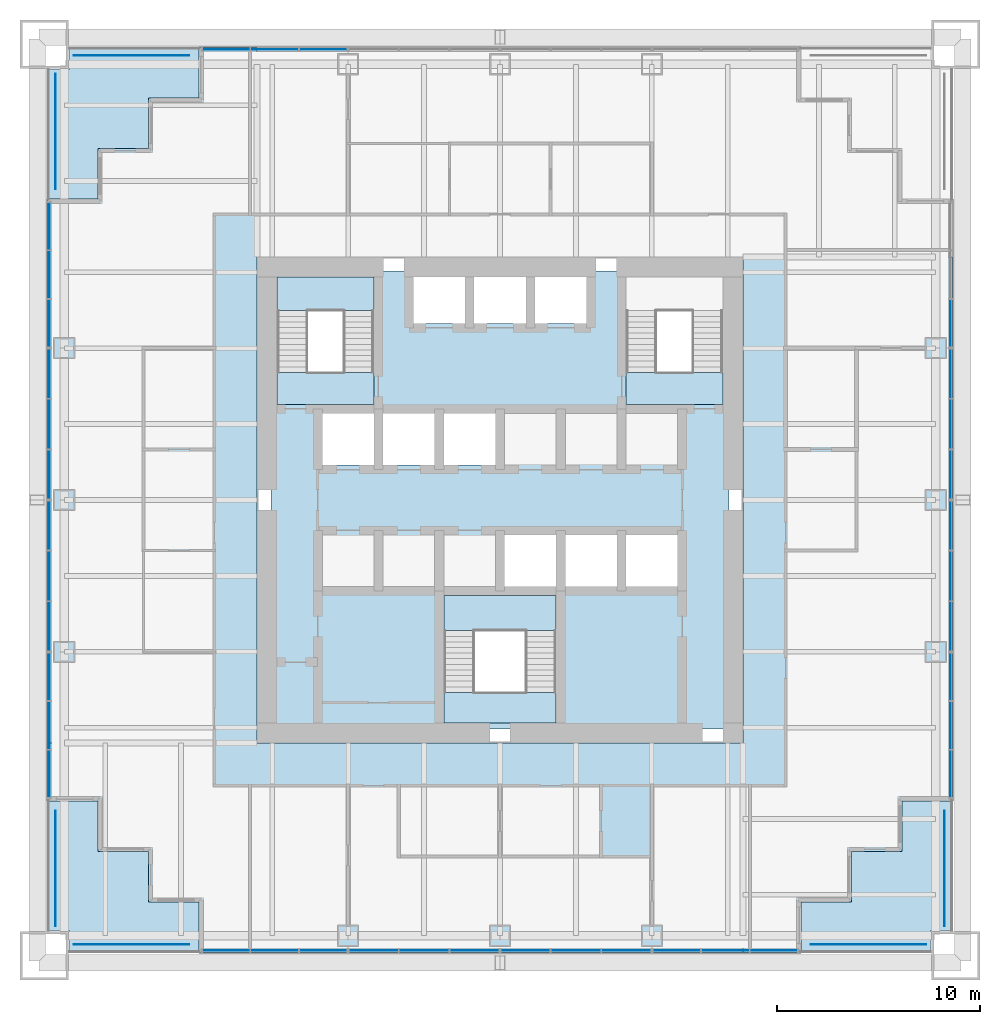
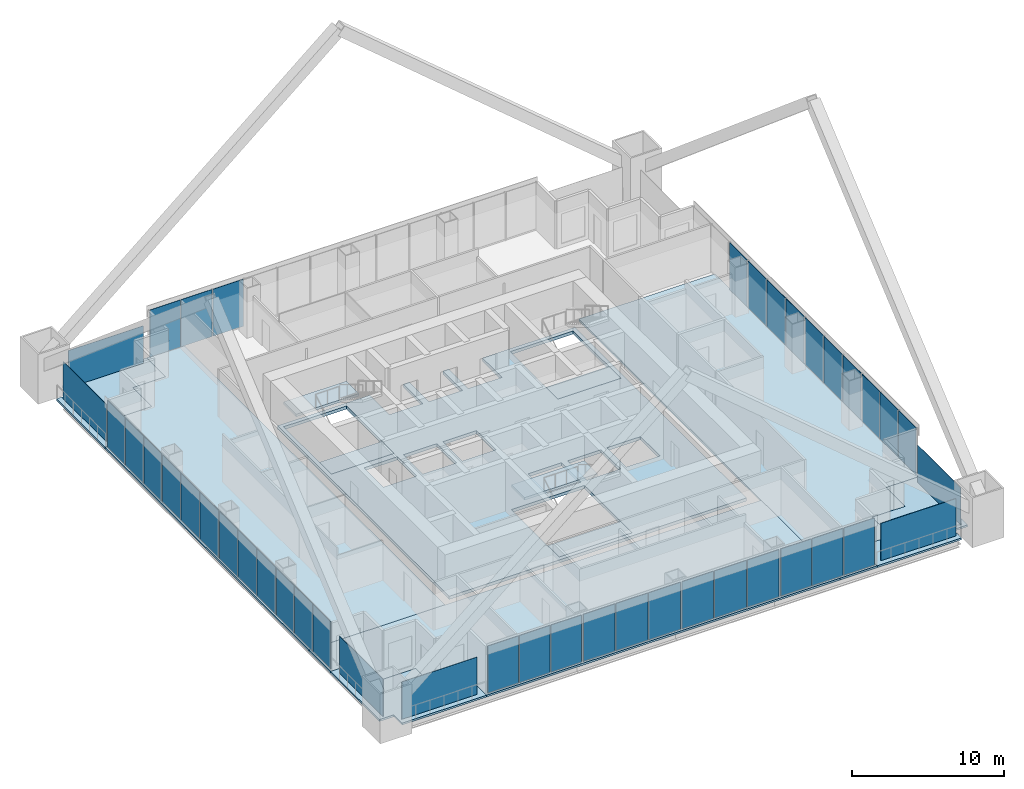
# One storey, part 13 of 19: 43 plates, 12 slabs, 16 elements without a shape of their own.
"""IFC4 building model written with IfcOpenShell, lengths in metres."""

from ifc_helpers import new_model, si_unit, direction, frame, origin, origin_2d, place, context, subcontext, project, spatial, polyline, rectangle, outline, extrude, material, layer, layer_set, type_object, element, aggregate, save


model = new_model("IFC4")

# Units and contexts
model_context = context("Model", 3, precision=1e-05, world=origin(), true_north=direction((0.0, 1.0)))
body_context = subcontext(model_context, "Body", "Model", "MODEL_VIEW")
ifc_project = project(units=[si_unit("LENGTHUNIT", "METRE"), si_unit("AREAUNIT", "SQUARE_METRE"), si_unit("VOLUMEUNIT", "CUBIC_METRE"), si_unit("PLANEANGLEUNIT", "RADIAN"), si_unit("MASSUNIT", "GRAM", prefix="KILO")], contexts=[model_context])

# Site, building, storey
site_placement = place(None, origin())
site = spatial("IfcSite", under=ifc_project, at=site_placement, CompositionType="ELEMENT")
building_placement = place(site_placement, origin())
building = spatial("IfcBuilding", under=site, at=building_placement, Name="Tarangal Relay Tower", CompositionType="ELEMENT")
storey_placement = place(building_placement, frame((0.0, 0.0, 213.89990234375)))
storey = spatial("IfcBuildingStorey", under=building, at=storey_placement, Name="L45", CompositionType="ELEMENT", Elevation=213.89990234375)

# Slabs
ifc_material_1 = material(Name="Concrete fc' 35 MPa", Category="concrete")
ifc_layer_1 = layer(ifc_material_1, 0.25)
ifc_layer_set_1 = layer_set([ifc_layer_1], Name="Core floor slab 250")
slab_type_1 = type_object("IfcSlabType", Name="Core floor slab 250", PredefinedType="FLOOR", material=ifc_layer_set_1)
slab_1_placement = place(storey_placement, frame((0.0, 0.0, -0.25)))
element("IfcSlab", 1, at=slab_1_placement, inside=storey, type_object=slab_type_1, Name="Core floor slab L45", PredefinedType="FLOOR", context=body_context, shape_type="SweptSolid", body=[
    extrude(outline(polyline([(11.300048828125, 11.300048828125), (11.300048828125, -11.300048828125), (-11.300048828125, -11.300048828125), (-11.300048828125, 11.300048828125), (-4.27490234375, 11.300048828125), (-4.27490234375, 8.72509765625), (-1.72509765625, 8.72509765625), (-1.72509765625, 11.300048828125), (-1.27490234375, 11.300048828125), (-1.27490234375, 8.72509765625), (1.27490234375, 8.72509765625), (1.27490234375, 11.300048828125), (1.72509765625, 11.300048828125), (1.72509765625, 8.72509765625), (4.27490234375, 8.72509765625), (4.27490234375, 11.300048828125), (11.300048828125, 11.300048828125)]), holes=[polyline([(-6.22509765625, 4.27490234375), (-8.77490234375, 4.27490234375), (-8.77490234375, 1.72509765625), (-6.22509765625, 1.72509765625), (-6.22509765625, 4.27490234375)]), polyline([(-3.22509765625, 1.72509765625), (-3.22509765625, 4.27490234375), (-5.77490234375, 4.27490234375), (-5.77490234375, 1.72509765625), (-3.22509765625, 1.72509765625)]), polyline([(-0.22509765625, 1.72509765625), (-0.22509765625, 4.27490234375), (-2.77490234375, 4.27490234375), (-2.77490234375, 1.72509765625), (-0.22509765625, 1.72509765625)]), polyline([(-6.22509765625, 11.0), (-11.0, 11.0), (-11.0, 4.72509765625), (-6.22509765625, 4.72509765625), (-6.22509765625, 11.0)]), polyline([(2.77490234375, -4.72509765625), (-2.77490234375, -4.72509765625), (-2.77490234375, -11.0), (2.77490234375, -11.0), (2.77490234375, -4.72509765625)]), polyline([(2.77490234375, -4.27490234375), (2.77490234375, -1.72509765625), (0.22509765625, -1.72509765625), (0.22509765625, -4.27490234375), (2.77490234375, -4.27490234375)]), polyline([(5.77490234375, -4.27490234375), (5.77490234375, -1.72509765625), (3.22509765625, -1.72509765625), (3.22509765625, -4.27490234375), (5.77490234375, -4.27490234375)]), polyline([(8.77490234375, -1.72509765625), (6.22509765625, -1.72509765625), (6.22509765625, -4.27490234375), (8.77490234375, -4.27490234375), (8.77490234375, -1.72509765625)]), polyline([(11.0, 4.72509765625), (11.0, 11.0), (6.22509765625, 11.0), (6.22509765625, 4.72509765625), (11.0, 4.72509765625)])]), origin(), (0.0, 0.0, 1.0), 0.25),
])
ifc_layer_2 = layer(ifc_material_1, 0.14990234375)
ifc_layer_set_2 = layer_set([ifc_layer_2], Name="Floor slab 150")
slab_type_2 = type_object("IfcSlabType", Name="Floor slab 150", PredefinedType="FLOOR", material=ifc_layer_set_2)
slab_2_placement = place(storey_placement, frame((0.0, 0.0, -0.14990234375)))
element("IfcSlab", 2, at=slab_2_placement, inside=storey, type_object=slab_type_2, Name="Floor slab FS3 L45 east bay", PredefinedType="FLOOR", context=body_context, shape_type="SweptSolid", body=[
    extrude(outline(polyline([(22.35009765625, -14.85009765625), (19.85009765625, -14.85009765625), (19.85009765625, -17.35009765625), (17.35009765625, -17.35009765625), (17.35009765625, -19.85009765625), (14.85009765625, -19.85009765625), (14.85009765625, -22.35009765625), (12.0, -22.35009765625), (12.0, 12.0), (22.35009765625, 12.0), (22.35009765625, -14.85009765625)])), origin(), (0.0, 0.0, 1.0), 0.14990234375),
])
slab_3_placement = place(storey_placement, frame((0.0, 0.0, -0.14990234375)))
element("IfcSlab", 3, at=slab_3_placement, inside=storey, type_object=slab_type_2, Name="Floor slab FS3 L45 south bay", PredefinedType="FLOOR", context=body_context, shape_type="SweptSolid", body=[
    extrude(outline(polyline([(-14.85009765625, -22.35009765625), (-14.85009765625, -19.85009765625), (-17.35009765625, -19.85009765625), (-17.35009765625, -17.35009765625), (-19.85009765625, -17.35009765625), (-19.85009765625, -14.85009765625), (-22.35009765625, -14.85009765625), (-22.35009765625, -12.0), (12.0, -12.0), (12.0, -22.35009765625), (-14.85009765625, -22.35009765625)])), origin(), (0.0, 0.0, 1.0), 0.14990234375),
])
slab_4_placement = place(storey_placement, frame((0.0, 0.0, -0.14990234375)))
element("IfcSlab", 4, at=slab_4_placement, inside=storey, type_object=slab_type_2, Name="Floor slab FS3 L45 west bay", PredefinedType="FLOOR", context=body_context, shape_type="SweptSolid", body=[
    extrude(outline(polyline([(-12.0, 22.35009765625), (-12.0, -12.0), (-22.35009765625, -12.0), (-22.35009765625, 14.85009765625), (-19.85009765625, 14.85009765625), (-19.85009765625, 17.35009765625), (-17.35009765625, 17.35009765625), (-17.35009765625, 19.85009765625), (-14.85009765625, 19.85009765625), (-14.85009765625, 22.35009765625), (-12.0, 22.35009765625)])), origin(), (0.0, 0.0, 1.0), 0.14990234375),
])

# Curtain wall, plates
ifc_material_2 = material(Name="Unitised curtain wall, dark glass and black aluminium", Category="aluminium")
curtain_wall_type = type_object("IfcCurtainWallType", Name="Curtain wall CW-A", PredefinedType="USERDEFINED", material=ifc_material_2)
curtain_wall_1_placement = place(storey_placement, origin())
curtain_wall_1 = element("IfcCurtainWall", 5, at=curtain_wall_1_placement, inside=storey, type_object=curtain_wall_type, Name="Curtain wall CW-A N facade L45", ObjectType="UNITISED CURTAIN WALL", PredefinedType="USERDEFINED")
ifc_material_3 = material(Name="Dark tinted insulated glass unit", Category="glass")
ifc_layer_3 = layer(ifc_material_3, 0.031982421875)
ifc_layer_set_3 = layer_set([ifc_layer_3], Name="Glazed panel CW-A 32")
plate_type_1 = type_object("IfcPlateType", Name="Glazed panel CW-A 32", PredefinedType="CURTAIN_PANEL", material=ifc_layer_set_3)
plate_1_placement = place(storey_placement, frame((-13.525390625, 22.25, 0.06494140625), z_axis=(0.0, 0.0, 1.0), x_axis=(1.0, 0.0, 0.0)))
plate_1 = element("IfcPlate", 6, at=plate_1_placement, type_object=plate_type_1, Name="CW-A panel 1.1", PredefinedType="CURTAIN_PANEL", context=body_context, shape_type="SweptSolid", body=[
    extrude(rectangle(XDim=2.319091796875, YDim=0.031982421875, at=origin_2d()), origin(), (0.0, 0.0, 1.0), 3.784912109375),
])
plate_2_placement = place(storey_placement, frame((-11.125, 22.25, 0.06494140625), z_axis=(0.0, 0.0, 1.0), x_axis=(1.0, 0.0, 0.0)))
plate_2 = element("IfcPlate", 7, at=plate_2_placement, type_object=plate_type_1, Name="CW-A panel 2.1", PredefinedType="CURTAIN_PANEL", context=body_context, shape_type="SweptSolid", body=[
    extrude(rectangle(XDim=2.3515625, YDim=0.031982421875, at=origin_2d()), origin(), (0.0, 0.0, 1.0), 3.784912109375),
])
plate_3_placement = place(storey_placement, frame((-8.724609375, 22.25, 0.06494140625), z_axis=(0.0, 0.0, 1.0), x_axis=(1.0, 0.0, 0.0)))
plate_3 = element("IfcPlate", 8, at=plate_3_placement, type_object=plate_type_1, Name="CW-A panel 3.1", PredefinedType="CURTAIN_PANEL", context=body_context, shape_type="SweptSolid", body=[
    extrude(rectangle(XDim=2.319091796875, YDim=0.031982421875, at=origin_2d()), origin(), (0.0, 0.0, 1.0), 3.784912109375),
])
aggregate(curtain_wall_1, [plate_1, plate_2, plate_3])

# Curtain wall, plate
curtain_wall_2_placement = place(storey_placement, origin())
curtain_wall_2 = element("IfcCurtainWall", 9, at=curtain_wall_2_placement, inside=storey, type_object=curtain_wall_type, Name="Curtain wall CW-A E facade L45", ObjectType="UNITISED CURTAIN WALL", PredefinedType="USERDEFINED")
plate_4_placement = place(storey_placement, frame((22.25, 8.724609375, 0.06494140625), z_axis=(0.0, 0.0, 1.0), x_axis=(0.0, -1.0, 0.0)))
plate_4 = element("IfcPlate", 10, at=plate_4_placement, type_object=plate_type_1, Name="CW-A panel 3.1", PredefinedType="CURTAIN_PANEL", context=body_context, shape_type="SweptSolid", body=[
    extrude(rectangle(XDim=2.319091796875, YDim=0.031982421875, at=origin_2d()), origin(), (0.0, 0.0, 1.0), 3.784912109375),
])
aggregate(curtain_wall_2, [plate_4])

# Curtain wall, plates
curtain_wall_3_placement = place(storey_placement, origin())
curtain_wall_3 = element("IfcCurtainWall", 11, at=curtain_wall_3_placement, inside=storey, type_object=curtain_wall_type, Name="Curtain wall CW-A E facade L45", ObjectType="UNITISED CURTAIN WALL", PredefinedType="USERDEFINED")
plate_5_placement = place(storey_placement, frame((22.25, 6.233642578125, 0.06494140625), z_axis=(0.0, 0.0, 1.0), x_axis=(0.0, -1.0, 0.0)))
plate_5 = element("IfcPlate", 12, at=plate_5_placement, type_object=plate_type_1, Name="CW-A panel 1.1", PredefinedType="CURTAIN_PANEL", context=body_context, shape_type="SweptSolid", body=[
    extrude(rectangle(XDim=2.402587890625, YDim=0.031982421875, at=origin_2d()), origin(), (0.0, 0.0, 1.0), 3.784912109375),
])
plate_6_placement = place(storey_placement, frame((22.25, 3.75, 0.06494140625), z_axis=(0.0, 0.0, 1.0), x_axis=(0.0, -1.0, 0.0)))
plate_6 = element("IfcPlate", 13, at=plate_6_placement, type_object=plate_type_1, Name="CW-A panel 2.1", PredefinedType="CURTAIN_PANEL", context=body_context, shape_type="SweptSolid", body=[
    extrude(rectangle(XDim=2.43505859375, YDim=0.031982421875, at=origin_2d()), origin(), (0.0, 0.0, 1.0), 3.784912109375),
])
plate_7_placement = place(storey_placement, frame((22.25, 1.266357421875, 0.06494140625), z_axis=(0.0, 0.0, 1.0), x_axis=(0.0, -1.0, 0.0)))
plate_7 = element("IfcPlate", 14, at=plate_7_placement, type_object=plate_type_1, Name="CW-A panel 3.1", PredefinedType="CURTAIN_PANEL", context=body_context, shape_type="SweptSolid", body=[
    extrude(rectangle(XDim=2.402587890625, YDim=0.031982421875, at=origin_2d()), origin(), (0.0, 0.0, 1.0), 3.784912109375),
])
aggregate(curtain_wall_3, [plate_5, plate_6, plate_7])

curtain_wall_4_placement = place(storey_placement, origin())
curtain_wall_4 = element("IfcCurtainWall", 15, at=curtain_wall_4_placement, inside=storey, type_object=curtain_wall_type, Name="Curtain wall CW-A E facade L45", ObjectType="UNITISED CURTAIN WALL", PredefinedType="USERDEFINED")
plate_8_placement = place(storey_placement, frame((22.25, -1.266357421875, 0.06494140625), z_axis=(0.0, 0.0, 1.0), x_axis=(0.0, -1.0, 0.0)))
plate_8 = element("IfcPlate", 16, at=plate_8_placement, type_object=plate_type_1, Name="CW-A panel 1.1", PredefinedType="CURTAIN_PANEL", context=body_context, shape_type="SweptSolid", body=[
    extrude(rectangle(XDim=2.402587890625, YDim=0.031982421875, at=origin_2d()), origin(), (0.0, 0.0, 1.0), 3.784912109375),
])
plate_9_placement = place(storey_placement, frame((22.25, -3.75, 0.06494140625), z_axis=(0.0, 0.0, 1.0), x_axis=(0.0, -1.0, 0.0)))
plate_9 = element("IfcPlate", 17, at=plate_9_placement, type_object=plate_type_1, Name="CW-A panel 2.1", PredefinedType="CURTAIN_PANEL", context=body_context, shape_type="SweptSolid", body=[
    extrude(rectangle(XDim=2.43505859375, YDim=0.031982421875, at=origin_2d()), origin(), (0.0, 0.0, 1.0), 3.784912109375),
])
plate_10_placement = place(storey_placement, frame((22.25, -6.233642578125, 0.06494140625), z_axis=(0.0, 0.0, 1.0), x_axis=(0.0, -1.0, 0.0)))
plate_10 = element("IfcPlate", 18, at=plate_10_placement, type_object=plate_type_1, Name="CW-A panel 3.1", PredefinedType="CURTAIN_PANEL", context=body_context, shape_type="SweptSolid", body=[
    extrude(rectangle(XDim=2.402587890625, YDim=0.031982421875, at=origin_2d()), origin(), (0.0, 0.0, 1.0), 3.784912109375),
])
aggregate(curtain_wall_4, [plate_8, plate_9, plate_10])

curtain_wall_5_placement = place(storey_placement, origin())
curtain_wall_5 = element("IfcCurtainWall", 19, at=curtain_wall_5_placement, inside=storey, type_object=curtain_wall_type, Name="Curtain wall CW-A E facade L45", ObjectType="UNITISED CURTAIN WALL", PredefinedType="USERDEFINED")
plate_11_placement = place(storey_placement, frame((22.25, -8.724609375, 0.06494140625), z_axis=(0.0, 0.0, 1.0), x_axis=(0.0, -1.0, 0.0)))
plate_11 = element("IfcPlate", 20, at=plate_11_placement, type_object=plate_type_1, Name="CW-A panel 1.1", PredefinedType="CURTAIN_PANEL", context=body_context, shape_type="SweptSolid", body=[
    extrude(rectangle(XDim=2.319091796875, YDim=0.031982421875, at=origin_2d()), origin(), (0.0, 0.0, 1.0), 3.784912109375),
])
plate_12_placement = place(storey_placement, frame((22.25, -11.125, 0.06494140625), z_axis=(0.0, 0.0, 1.0), x_axis=(0.0, -1.0, 0.0)))
plate_12 = element("IfcPlate", 21, at=plate_12_placement, type_object=plate_type_1, Name="CW-A panel 2.1", PredefinedType="CURTAIN_PANEL", context=body_context, shape_type="SweptSolid", body=[
    extrude(rectangle(XDim=2.3515625, YDim=0.031982421875, at=origin_2d()), origin(), (0.0, 0.0, 1.0), 3.784912109375),
])
plate_13_placement = place(storey_placement, frame((22.25, -13.525390625, 0.06494140625), z_axis=(0.0, 0.0, 1.0), x_axis=(0.0, -1.0, 0.0)))
plate_13 = element("IfcPlate", 22, at=plate_13_placement, type_object=plate_type_1, Name="CW-A panel 3.1", PredefinedType="CURTAIN_PANEL", context=body_context, shape_type="SweptSolid", body=[
    extrude(rectangle(XDim=2.319091796875, YDim=0.031982421875, at=origin_2d()), origin(), (0.0, 0.0, 1.0), 3.784912109375),
])
aggregate(curtain_wall_5, [plate_11, plate_12, plate_13])

curtain_wall_6_placement = place(storey_placement, origin())
curtain_wall_6 = element("IfcCurtainWall", 23, at=curtain_wall_6_placement, inside=storey, type_object=curtain_wall_type, Name="Curtain wall CW-A S facade L45", ObjectType="UNITISED CURTAIN WALL", PredefinedType="USERDEFINED")
plate_14_placement = place(storey_placement, frame((13.525390625, -22.25, 0.06494140625), z_axis=(0.0, 0.0, 1.0), x_axis=(-1.0, 0.0, 0.0)))
plate_14 = element("IfcPlate", 24, at=plate_14_placement, type_object=plate_type_1, Name="CW-A panel 1.1", PredefinedType="CURTAIN_PANEL", context=body_context, shape_type="SweptSolid", body=[
    extrude(rectangle(XDim=2.319091796875, YDim=0.031982421875, at=origin_2d()), origin(), (0.0, 0.0, 1.0), 3.784912109375),
])
plate_15_placement = place(storey_placement, frame((11.125, -22.25, 0.06494140625), z_axis=(0.0, 0.0, 1.0), x_axis=(-1.0, 0.0, 0.0)))
plate_15 = element("IfcPlate", 25, at=plate_15_placement, type_object=plate_type_1, Name="CW-A panel 2.1", PredefinedType="CURTAIN_PANEL", context=body_context, shape_type="SweptSolid", body=[
    extrude(rectangle(XDim=2.3515625, YDim=0.031982421875, at=origin_2d()), origin(), (0.0, 0.0, 1.0), 3.784912109375),
])
plate_16_placement = place(storey_placement, frame((8.724609375, -22.25, 0.06494140625), z_axis=(0.0, 0.0, 1.0), x_axis=(-1.0, 0.0, 0.0)))
plate_16 = element("IfcPlate", 26, at=plate_16_placement, type_object=plate_type_1, Name="CW-A panel 3.1", PredefinedType="CURTAIN_PANEL", context=body_context, shape_type="SweptSolid", body=[
    extrude(rectangle(XDim=2.319091796875, YDim=0.031982421875, at=origin_2d()), origin(), (0.0, 0.0, 1.0), 3.784912109375),
])
aggregate(curtain_wall_6, [plate_14, plate_15, plate_16])

curtain_wall_7_placement = place(storey_placement, origin())
curtain_wall_7 = element("IfcCurtainWall", 27, at=curtain_wall_7_placement, inside=storey, type_object=curtain_wall_type, Name="Curtain wall CW-A S facade L45", ObjectType="UNITISED CURTAIN WALL", PredefinedType="USERDEFINED")
plate_17_placement = place(storey_placement, frame((6.233642578125, -22.25, 0.06494140625), z_axis=(0.0, 0.0, 1.0), x_axis=(-1.0, 0.0, 0.0)))
plate_17 = element("IfcPlate", 28, at=plate_17_placement, type_object=plate_type_1, Name="CW-A panel 1.1", PredefinedType="CURTAIN_PANEL", context=body_context, shape_type="SweptSolid", body=[
    extrude(rectangle(XDim=2.402587890625, YDim=0.031982421875, at=origin_2d()), origin(), (0.0, 0.0, 1.0), 3.784912109375),
])
plate_18_placement = place(storey_placement, frame((3.75, -22.25, 0.06494140625), z_axis=(0.0, 0.0, 1.0), x_axis=(-1.0, 0.0, 0.0)))
plate_18 = element("IfcPlate", 29, at=plate_18_placement, type_object=plate_type_1, Name="CW-A panel 2.1", PredefinedType="CURTAIN_PANEL", context=body_context, shape_type="SweptSolid", body=[
    extrude(rectangle(XDim=2.43505859375, YDim=0.031982421875, at=origin_2d()), origin(), (0.0, 0.0, 1.0), 3.784912109375),
])
plate_19_placement = place(storey_placement, frame((1.266357421875, -22.25, 0.06494140625), z_axis=(0.0, 0.0, 1.0), x_axis=(-1.0, 0.0, 0.0)))
plate_19 = element("IfcPlate", 30, at=plate_19_placement, type_object=plate_type_1, Name="CW-A panel 3.1", PredefinedType="CURTAIN_PANEL", context=body_context, shape_type="SweptSolid", body=[
    extrude(rectangle(XDim=2.402587890625, YDim=0.031982421875, at=origin_2d()), origin(), (0.0, 0.0, 1.0), 3.784912109375),
])
aggregate(curtain_wall_7, [plate_17, plate_18, plate_19])

curtain_wall_8_placement = place(storey_placement, origin())
curtain_wall_8 = element("IfcCurtainWall", 31, at=curtain_wall_8_placement, inside=storey, type_object=curtain_wall_type, Name="Curtain wall CW-A S facade L45", ObjectType="UNITISED CURTAIN WALL", PredefinedType="USERDEFINED")
plate_20_placement = place(storey_placement, frame((-1.266357421875, -22.25, 0.06494140625), z_axis=(0.0, 0.0, 1.0), x_axis=(-1.0, 0.0, 0.0)))
plate_20 = element("IfcPlate", 32, at=plate_20_placement, type_object=plate_type_1, Name="CW-A panel 1.1", PredefinedType="CURTAIN_PANEL", context=body_context, shape_type="SweptSolid", body=[
    extrude(rectangle(XDim=2.402587890625, YDim=0.031982421875, at=origin_2d()), origin(), (0.0, 0.0, 1.0), 3.784912109375),
])
plate_21_placement = place(storey_placement, frame((-3.75, -22.25, 0.06494140625), z_axis=(0.0, 0.0, 1.0), x_axis=(-1.0, 0.0, 0.0)))
plate_21 = element("IfcPlate", 33, at=plate_21_placement, type_object=plate_type_1, Name="CW-A panel 2.1", PredefinedType="CURTAIN_PANEL", context=body_context, shape_type="SweptSolid", body=[
    extrude(rectangle(XDim=2.43505859375, YDim=0.031982421875, at=origin_2d()), origin(), (0.0, 0.0, 1.0), 3.784912109375),
])
plate_22_placement = place(storey_placement, frame((-6.233642578125, -22.25, 0.06494140625), z_axis=(0.0, 0.0, 1.0), x_axis=(-1.0, 0.0, 0.0)))
plate_22 = element("IfcPlate", 34, at=plate_22_placement, type_object=plate_type_1, Name="CW-A panel 3.1", PredefinedType="CURTAIN_PANEL", context=body_context, shape_type="SweptSolid", body=[
    extrude(rectangle(XDim=2.402587890625, YDim=0.031982421875, at=origin_2d()), origin(), (0.0, 0.0, 1.0), 3.784912109375),
])
aggregate(curtain_wall_8, [plate_20, plate_21, plate_22])

curtain_wall_9_placement = place(storey_placement, origin())
curtain_wall_9 = element("IfcCurtainWall", 35, at=curtain_wall_9_placement, inside=storey, type_object=curtain_wall_type, Name="Curtain wall CW-A S facade L45", ObjectType="UNITISED CURTAIN WALL", PredefinedType="USERDEFINED")
plate_23_placement = place(storey_placement, frame((-8.724609375, -22.25, 0.06494140625), z_axis=(0.0, 0.0, 1.0), x_axis=(-1.0, 0.0, 0.0)))
plate_23 = element("IfcPlate", 36, at=plate_23_placement, type_object=plate_type_1, Name="CW-A panel 1.1", PredefinedType="CURTAIN_PANEL", context=body_context, shape_type="SweptSolid", body=[
    extrude(rectangle(XDim=2.319091796875, YDim=0.031982421875, at=origin_2d()), origin(), (0.0, 0.0, 1.0), 3.784912109375),
])
plate_24_placement = place(storey_placement, frame((-11.125, -22.25, 0.06494140625), z_axis=(0.0, 0.0, 1.0), x_axis=(-1.0, 0.0, 0.0)))
plate_24 = element("IfcPlate", 37, at=plate_24_placement, type_object=plate_type_1, Name="CW-A panel 2.1", PredefinedType="CURTAIN_PANEL", context=body_context, shape_type="SweptSolid", body=[
    extrude(rectangle(XDim=2.3515625, YDim=0.031982421875, at=origin_2d()), origin(), (0.0, 0.0, 1.0), 3.784912109375),
])
plate_25_placement = place(storey_placement, frame((-13.525390625, -22.25, 0.06494140625), z_axis=(0.0, 0.0, 1.0), x_axis=(-1.0, 0.0, 0.0)))
plate_25 = element("IfcPlate", 38, at=plate_25_placement, type_object=plate_type_1, Name="CW-A panel 3.1", PredefinedType="CURTAIN_PANEL", context=body_context, shape_type="SweptSolid", body=[
    extrude(rectangle(XDim=2.319091796875, YDim=0.031982421875, at=origin_2d()), origin(), (0.0, 0.0, 1.0), 3.784912109375),
])
aggregate(curtain_wall_9, [plate_23, plate_24, plate_25])

curtain_wall_10_placement = place(storey_placement, origin())
curtain_wall_10 = element("IfcCurtainWall", 39, at=curtain_wall_10_placement, inside=storey, type_object=curtain_wall_type, Name="Curtain wall CW-A W facade L45", ObjectType="UNITISED CURTAIN WALL", PredefinedType="USERDEFINED")
plate_26_placement = place(storey_placement, frame((-22.25, -13.525390625, 0.06494140625), z_axis=(0.0, 0.0, 1.0), x_axis=(0.0, 1.0, 0.0)))
plate_26 = element("IfcPlate", 40, at=plate_26_placement, type_object=plate_type_1, Name="CW-A panel 1.1", PredefinedType="CURTAIN_PANEL", context=body_context, shape_type="SweptSolid", body=[
    extrude(rectangle(XDim=2.319091796875, YDim=0.031982421875, at=origin_2d()), origin(), (0.0, 0.0, 1.0), 3.784912109375),
])
plate_27_placement = place(storey_placement, frame((-22.25, -11.125, 0.06494140625), z_axis=(0.0, 0.0, 1.0), x_axis=(0.0, 1.0, 0.0)))
plate_27 = element("IfcPlate", 41, at=plate_27_placement, type_object=plate_type_1, Name="CW-A panel 2.1", PredefinedType="CURTAIN_PANEL", context=body_context, shape_type="SweptSolid", body=[
    extrude(rectangle(XDim=2.3515625, YDim=0.031982421875, at=origin_2d()), origin(), (0.0, 0.0, 1.0), 3.784912109375),
])
plate_28_placement = place(storey_placement, frame((-22.25, -8.724609375, 0.06494140625), z_axis=(0.0, 0.0, 1.0), x_axis=(0.0, 1.0, 0.0)))
plate_28 = element("IfcPlate", 42, at=plate_28_placement, type_object=plate_type_1, Name="CW-A panel 3.1", PredefinedType="CURTAIN_PANEL", context=body_context, shape_type="SweptSolid", body=[
    extrude(rectangle(XDim=2.319091796875, YDim=0.031982421875, at=origin_2d()), origin(), (0.0, 0.0, 1.0), 3.784912109375),
])
aggregate(curtain_wall_10, [plate_26, plate_27, plate_28])

curtain_wall_11_placement = place(storey_placement, origin())
curtain_wall_11 = element("IfcCurtainWall", 43, at=curtain_wall_11_placement, inside=storey, type_object=curtain_wall_type, Name="Curtain wall CW-A W facade L45", ObjectType="UNITISED CURTAIN WALL", PredefinedType="USERDEFINED")
plate_29_placement = place(storey_placement, frame((-22.25, -6.233642578125, 0.06494140625), z_axis=(0.0, 0.0, 1.0), x_axis=(0.0, 1.0, 0.0)))
plate_29 = element("IfcPlate", 44, at=plate_29_placement, type_object=plate_type_1, Name="CW-A panel 1.1", PredefinedType="CURTAIN_PANEL", context=body_context, shape_type="SweptSolid", body=[
    extrude(rectangle(XDim=2.402587890625, YDim=0.031982421875, at=origin_2d()), origin(), (0.0, 0.0, 1.0), 3.784912109375),
])
plate_30_placement = place(storey_placement, frame((-22.25, -3.75, 0.06494140625), z_axis=(0.0, 0.0, 1.0), x_axis=(0.0, 1.0, 0.0)))
plate_30 = element("IfcPlate", 45, at=plate_30_placement, type_object=plate_type_1, Name="CW-A panel 2.1", PredefinedType="CURTAIN_PANEL", context=body_context, shape_type="SweptSolid", body=[
    extrude(rectangle(XDim=2.43505859375, YDim=0.031982421875, at=origin_2d()), origin(), (0.0, 0.0, 1.0), 3.784912109375),
])
plate_31_placement = place(storey_placement, frame((-22.25, -1.266357421875, 0.06494140625), z_axis=(0.0, 0.0, 1.0), x_axis=(0.0, 1.0, 0.0)))
plate_31 = element("IfcPlate", 46, at=plate_31_placement, type_object=plate_type_1, Name="CW-A panel 3.1", PredefinedType="CURTAIN_PANEL", context=body_context, shape_type="SweptSolid", body=[
    extrude(rectangle(XDim=2.402587890625, YDim=0.031982421875, at=origin_2d()), origin(), (0.0, 0.0, 1.0), 3.784912109375),
])
aggregate(curtain_wall_11, [plate_29, plate_30, plate_31])

curtain_wall_12_placement = place(storey_placement, origin())
curtain_wall_12 = element("IfcCurtainWall", 47, at=curtain_wall_12_placement, inside=storey, type_object=curtain_wall_type, Name="Curtain wall CW-A W facade L45", ObjectType="UNITISED CURTAIN WALL", PredefinedType="USERDEFINED")
plate_32_placement = place(storey_placement, frame((-22.25, 1.266357421875, 0.06494140625), z_axis=(0.0, 0.0, 1.0), x_axis=(0.0, 1.0, 0.0)))
plate_32 = element("IfcPlate", 48, at=plate_32_placement, type_object=plate_type_1, Name="CW-A panel 1.1", PredefinedType="CURTAIN_PANEL", context=body_context, shape_type="SweptSolid", body=[
    extrude(rectangle(XDim=2.402587890625, YDim=0.031982421875, at=origin_2d()), origin(), (0.0, 0.0, 1.0), 3.784912109375),
])
plate_33_placement = place(storey_placement, frame((-22.25, 3.75, 0.06494140625), z_axis=(0.0, 0.0, 1.0), x_axis=(0.0, 1.0, 0.0)))
plate_33 = element("IfcPlate", 49, at=plate_33_placement, type_object=plate_type_1, Name="CW-A panel 2.1", PredefinedType="CURTAIN_PANEL", context=body_context, shape_type="SweptSolid", body=[
    extrude(rectangle(XDim=2.43505859375, YDim=0.031982421875, at=origin_2d()), origin(), (0.0, 0.0, 1.0), 3.784912109375),
])
plate_34_placement = place(storey_placement, frame((-22.25, 6.233642578125, 0.06494140625), z_axis=(0.0, 0.0, 1.0), x_axis=(0.0, 1.0, 0.0)))
plate_34 = element("IfcPlate", 50, at=plate_34_placement, type_object=plate_type_1, Name="CW-A panel 3.1", PredefinedType="CURTAIN_PANEL", context=body_context, shape_type="SweptSolid", body=[
    extrude(rectangle(XDim=2.402587890625, YDim=0.031982421875, at=origin_2d()), origin(), (0.0, 0.0, 1.0), 3.784912109375),
])
aggregate(curtain_wall_12, [plate_32, plate_33, plate_34])

curtain_wall_13_placement = place(storey_placement, origin())
curtain_wall_13 = element("IfcCurtainWall", 51, at=curtain_wall_13_placement, inside=storey, type_object=curtain_wall_type, Name="Curtain wall CW-A W facade L45", ObjectType="UNITISED CURTAIN WALL", PredefinedType="USERDEFINED")
plate_35_placement = place(storey_placement, frame((-22.25, 8.724609375, 0.06494140625), z_axis=(0.0, 0.0, 1.0), x_axis=(0.0, 1.0, 0.0)))
plate_35 = element("IfcPlate", 52, at=plate_35_placement, type_object=plate_type_1, Name="CW-A panel 1.1", PredefinedType="CURTAIN_PANEL", context=body_context, shape_type="SweptSolid", body=[
    extrude(rectangle(XDim=2.319091796875, YDim=0.031982421875, at=origin_2d()), origin(), (0.0, 0.0, 1.0), 3.784912109375),
])
plate_36_placement = place(storey_placement, frame((-22.25, 11.125, 0.06494140625), z_axis=(0.0, 0.0, 1.0), x_axis=(0.0, 1.0, 0.0)))
plate_36 = element("IfcPlate", 53, at=plate_36_placement, type_object=plate_type_1, Name="CW-A panel 2.1", PredefinedType="CURTAIN_PANEL", context=body_context, shape_type="SweptSolid", body=[
    extrude(rectangle(XDim=2.3515625, YDim=0.031982421875, at=origin_2d()), origin(), (0.0, 0.0, 1.0), 3.784912109375),
])
plate_37_placement = place(storey_placement, frame((-22.25, 13.525390625, 0.06494140625), z_axis=(0.0, 0.0, 1.0), x_axis=(0.0, 1.0, 0.0)))
plate_37 = element("IfcPlate", 54, at=plate_37_placement, type_object=plate_type_1, Name="CW-A panel 3.1", PredefinedType="CURTAIN_PANEL", context=body_context, shape_type="SweptSolid", body=[
    extrude(rectangle(XDim=2.319091796875, YDim=0.031982421875, at=origin_2d()), origin(), (0.0, 0.0, 1.0), 3.784912109375),
])
aggregate(curtain_wall_13, [plate_35, plate_36, plate_37])

# Plates
ifc_material_4 = material(Name="Black stainless steel cable trellis with climbing planting", Category="steel")
ifc_layer_4 = layer(ifc_material_4, 0.030029296875)
ifc_layer_set_4 = layer_set([ifc_layer_4], Name="Planted trellis screen")
plate_type_2 = type_object("IfcPlateType", Name="Planted trellis screen", PredefinedType="SHEET", material=ifc_layer_set_4)
for number, where, z_axis, x_axis, name in (
    (55, (18.199951171875, -21.949951171875, 0.0), (0.0, 0.0, 1.0), (-1.0, 0.0, 0.0), "Planted trellis SC2 SE L45"),
    (56, (-21.949951171875, -18.199951171875, 0.0), (0.0, 0.0, 1.0), (0.0, 1.0, 0.0), "Planted trellis SC2 SW L45"),
    (57, (-18.199951171875, 21.949951171875, 0.0), (0.0, 0.0, 1.0), (1.0, 0.0, 0.0), "Planted trellis SC2 NW L45"),
):
    element("IfcPlate", number, at=place(storey_placement, frame(where, z_axis=z_axis, x_axis=x_axis)), inside=storey, type_object=plate_type_2, Name=name, PredefinedType="SHEET", context=body_context, shape_type="SweptSolid", body=[
        extrude(rectangle(XDim=5.699951171875, YDim=0.030029296875, at=origin_2d()), origin(), (0.0, 0.0, 1.0), 3.0),
    ])

# Stair, slabs
ifc_material_5 = material(Name="Steel ASTM A992 stair flight", Category="steel")
stair_type = type_object("IfcStairType", Name="Core stair 1500", PredefinedType="HALF_TURN_STAIR", material=ifc_material_5)
stair_1_placement = place(storey_placement, origin())
stair_1 = element("IfcStair", 58, at=stair_1_placement, inside=storey, type_object=stair_type, Name="Stair ST-A L45", PredefinedType="HALF_TURN_STAIR")
ifc_layer_5 = layer(ifc_material_1, 0.199951171875)
ifc_layer_set_5 = layer_set([ifc_layer_5], Name="Stair landing 200")
slab_type_3 = type_object("IfcSlabType", Name="Stair landing 200", PredefinedType="LANDING", material=ifc_layer_set_5)
slab_5_placement = place(storey_placement, frame((0.0, 0.0, -0.199951171875)))
slab_5 = element("IfcSlab", 59, at=slab_5_placement, type_object=slab_type_3, Name="ST-A landing 1", PredefinedType="LANDING", context=body_context, shape_type="SweptSolid", body=[
    extrude(outline(polyline([(-11.0, 4.72509765625), (-6.22509765625, 4.72509765625), (-6.22509765625, 6.300048828125), (-11.0, 6.300048828125), (-11.0, 4.72509765625)])), origin(), (0.0, 0.0, 1.0), 0.199951171875),
])
slab_6_placement = place(storey_placement, frame((0.0, 0.0, 1.800048828125)))
slab_6 = element("IfcSlab", 60, at=slab_6_placement, type_object=slab_type_3, Name="ST-A landing 2", PredefinedType="LANDING", context=body_context, shape_type="SweptSolid", body=[
    extrude(outline(polyline([(-11.0, 9.346923828125), (-6.22509765625, 9.346923828125), (-6.22509765625, 11.0), (-11.0, 11.0), (-11.0, 9.346923828125)])), origin(), (0.0, 0.0, 1.0), 0.199951171875),
])
aggregate(stair_1, [slab_5, slab_6])

# Stair, slab
stair_2_placement = place(storey_placement, origin())
stair_2 = element("IfcStair", 61, at=stair_2_placement, inside=storey, type_object=stair_type, Name="Stair ST-B L45", PredefinedType="HALF_TURN_STAIR")
slab_7_placement = place(storey_placement, frame((0.0, 0.0, -0.199951171875)))
slab_7 = element("IfcSlab", 62, at=slab_7_placement, type_object=slab_type_3, Name="ST-B landing 1", PredefinedType="LANDING", context=body_context, shape_type="SweptSolid", body=[
    extrude(outline(polyline([(6.22509765625, 4.72509765625), (11.0, 4.72509765625), (11.0, 6.300048828125), (6.22509765625, 6.300048828125), (6.22509765625, 4.72509765625)])), origin(), (0.0, 0.0, 1.0), 0.199951171875),
])
aggregate(stair_2, [slab_7])

# Stair, slabs
stair_3_placement = place(storey_placement, origin())
stair_3 = element("IfcStair", 63, at=stair_3_placement, inside=storey, type_object=stair_type, Name="Stair ST-C L45", PredefinedType="HALF_TURN_STAIR")
slab_8_placement = place(storey_placement, frame((0.0, 0.0, -0.199951171875)))
slab_8 = element("IfcSlab", 64, at=slab_8_placement, type_object=slab_type_3, Name="ST-C landing 1", PredefinedType="LANDING", context=body_context, shape_type="SweptSolid", body=[
    extrude(outline(polyline([(-2.77490234375, -11.0), (2.77490234375, -11.0), (2.77490234375, -9.5), (-2.77490234375, -9.5), (-2.77490234375, -11.0)])), origin(), (0.0, 0.0, 1.0), 0.199951171875),
])
slab_9_placement = place(storey_placement, frame((0.0, 0.0, 1.800048828125)))
slab_9 = element("IfcSlab", 65, at=slab_9_placement, type_object=slab_type_3, Name="ST-C landing 2", PredefinedType="LANDING", context=body_context, shape_type="SweptSolid", body=[
    extrude(outline(polyline([(-2.77490234375, -6.452880859375), (2.77490234375, -6.452880859375), (2.77490234375, -4.72509765625), (-2.77490234375, -4.72509765625), (-2.77490234375, -6.452880859375)])), origin(), (0.0, 0.0, 1.0), 0.199951171875),
])
aggregate(stair_3, [slab_8, slab_9])

# Plates
ifc_material_6 = material(Name="Perforated black aluminium screen", Category="aluminium")
ifc_layer_6 = layer(ifc_material_6, 0.02001953125)
ifc_layer_set_6 = layer_set([ifc_layer_6], Name="Terrace screen panel")
plate_type_3 = type_object("IfcPlateType", Name="Terrace screen panel", PredefinedType="SHEET", material=ifc_layer_set_6)
for number, where, z_axis, x_axis, name in (
    (66, (21.949951171875, -18.199951171875, 0.0), (0.0, 0.0, 1.0), (0.0, -1.0, 0.0), "Terrace screen SC1 SE L45"),
    (67, (-18.199951171875, -21.949951171875, 0.0), (0.0, 0.0, 1.0), (-1.0, 0.0, 0.0), "Terrace screen SC1 SW L45"),
    (68, (-21.949951171875, 18.199951171875, 0.0), (0.0, 0.0, 1.0), (0.0, 1.0, 0.0), "Terrace screen SC1 NW L45"),
):
    element("IfcPlate", number, at=place(storey_placement, frame(where, z_axis=z_axis, x_axis=x_axis)), inside=storey, type_object=plate_type_3, Name=name, PredefinedType="SHEET", context=body_context, shape_type="SweptSolid", body=[
        extrude(rectangle(XDim=5.699951171875, YDim=0.02001953125, at=origin_2d()), origin(), (0.0, 0.0, 1.0), 3.0),
    ])

# Slabs
ifc_layer_7 = layer(ifc_material_1, 0.14990234375)
ifc_layer_set_7 = layer_set([ifc_layer_7], Name="Terrace slab 150")
slab_type_4 = type_object("IfcSlabType", Name="Terrace slab 150", PredefinedType="FLOOR", material=ifc_layer_set_7)
slab_10_placement = place(storey_placement, frame((0.0, 0.0, -0.14990234375)))
element("IfcSlab", 69, at=slab_10_placement, inside=storey, type_object=slab_type_4, Name="Corner terrace SE L45", PredefinedType="FLOOR", context=body_context, shape_type="SweptSolid", body=[
    extrude(outline(polyline([(22.35009765625, -14.85009765625), (19.85009765625, -14.85009765625), (19.85009765625, -17.35009765625), (17.35009765625, -17.35009765625), (17.35009765625, -19.85009765625), (14.85009765625, -19.85009765625), (14.85009765625, -22.35009765625), (21.25, -22.35009765625), (21.25, -21.25), (22.35009765625, -21.25), (22.35009765625, -14.85009765625)])), origin(), (0.0, 0.0, 1.0), 0.14990234375),
])
slab_11_placement = place(storey_placement, frame((0.0, 0.0, -0.14990234375)))
element("IfcSlab", 70, at=slab_11_placement, inside=storey, type_object=slab_type_4, Name="Corner terrace SW L45", PredefinedType="FLOOR", context=body_context, shape_type="SweptSolid", body=[
    extrude(outline(polyline([(-14.85009765625, -22.35009765625), (-14.85009765625, -19.85009765625), (-17.35009765625, -19.85009765625), (-17.35009765625, -17.35009765625), (-19.85009765625, -17.35009765625), (-19.85009765625, -14.85009765625), (-22.35009765625, -14.85009765625), (-22.35009765625, -21.25), (-21.25, -21.25), (-21.25, -22.35009765625), (-14.85009765625, -22.35009765625)])), origin(), (0.0, 0.0, 1.0), 0.14990234375),
])
slab_12_placement = place(storey_placement, frame((0.0, 0.0, -0.14990234375)))
element("IfcSlab", 71, at=slab_12_placement, inside=storey, type_object=slab_type_4, Name="Corner terrace NW L45", PredefinedType="FLOOR", context=body_context, shape_type="SweptSolid", body=[
    extrude(outline(polyline([(-22.35009765625, 14.85009765625), (-19.85009765625, 14.85009765625), (-19.85009765625, 17.35009765625), (-17.35009765625, 17.35009765625), (-17.35009765625, 19.85009765625), (-14.85009765625, 19.85009765625), (-14.85009765625, 22.35009765625), (-21.25, 22.35009765625), (-21.25, 21.25), (-22.35009765625, 21.25), (-22.35009765625, 14.85009765625)])), origin(), (0.0, 0.0, 1.0), 0.14990234375),
])

save(model, "model.ifc")
